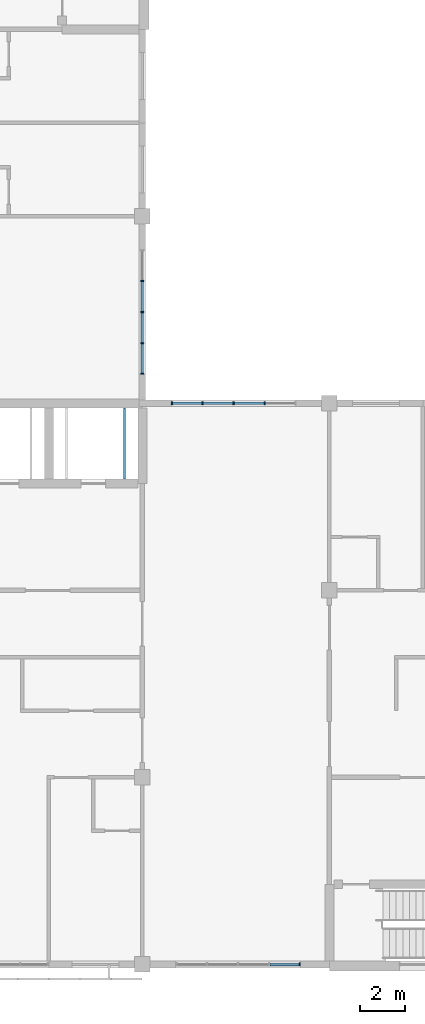
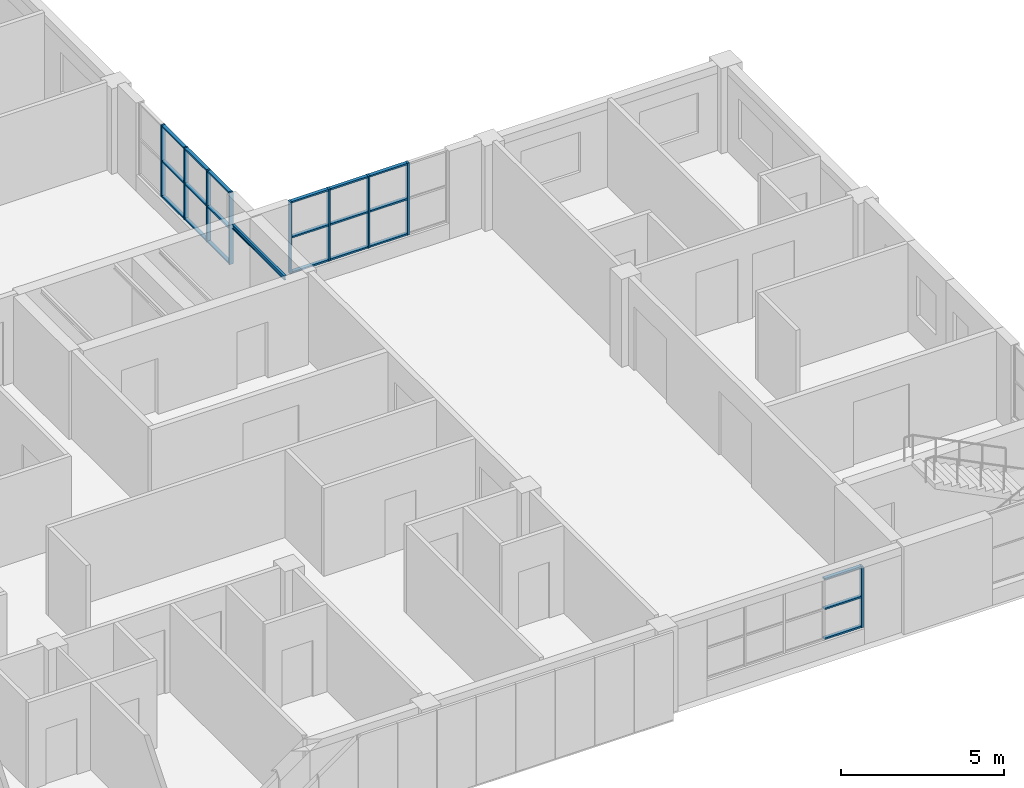
# One storey, part 4 of 48: 30 members, 1 beam, 3 elements without a shape of their own.
"""IFC4 building model written with IfcOpenShell, lengths in metres."""

from ifc_helpers import new_model, si_unit, direction, frame, origin, origin_2d, place, context, subcontext, project, spatial, rectangle, i_section, extrude, material, material_profile, profile_set, type_object, element, aggregate, save


model = new_model("IFC4")

# Units and contexts
model_context = context("Model", 3, precision=1e-05, world=origin(), true_north=direction((0.0, 1.0)))
body_context = subcontext(model_context, "Body", "Model", "MODEL_VIEW")
ifc_project = project(units=[si_unit("LENGTHUNIT", "METRE"), si_unit("AREAUNIT", "SQUARE_METRE"), si_unit("VOLUMEUNIT", "CUBIC_METRE"), si_unit("PLANEANGLEUNIT", "RADIAN"), si_unit("MASSUNIT", "GRAM", prefix="KILO")], contexts=[model_context])

# Site, building, storey
site_placement = place(None, origin())
site = spatial("IfcSite", under=ifc_project, at=site_placement, CompositionType="ELEMENT")
building_placement = place(site_placement, origin())
building = spatial("IfcBuilding", under=site, at=building_placement, Name="Yavir Park General Hospital", CompositionType="ELEMENT")
storey_placement = place(building_placement, frame((0.0, 0.0, 26.10009765625)))
storey = spatial("IfcBuildingStorey", under=building, at=storey_placement, Name="L06", CompositionType="ELEMENT", Elevation=26.10009765625)

# Curtain wall, members
ifc_material_1 = material(Name="Aluminium curtain wall frame with insulated glazing", Category="aluminium")
curtain_wall_type_1 = type_object("IfcCurtainWallType", Name="Day room pocket glazing, ward floors, 2300 high, 1400 module", PredefinedType="NOTDEFINED", material=ifc_material_1)
curtain_wall_1_placement = place(storey_placement, origin())
curtain_wall_1 = element("IfcCurtainWall", 1, at=curtain_wall_1_placement, inside=storey, type_object=curtain_wall_type_1, Name="CW63 L06-002", PredefinedType="NOTDEFINED")
ifc_material_2 = material(Name="Aluminium", Category="aluminium")
ifc_material_profile_1 = material_profile(ifc_material_2, rectangle(XDim=0.139892578125, YDim=0.06005859375, at=origin_2d()), Name="AL 60x140")
ifc_profile_set_1 = profile_set([ifc_material_profile_1], Name="Aluminium")
member_type_1 = type_object("IfcMemberType", Name="Day room pocket glazing, ward floors, 2300 high mullion 60 x 140", PredefinedType="MULLION", material=ifc_profile_set_1)
member_1_placement = place(storey_placement, frame((32.27001953125, 0.0, 0.599853515625), z_axis=(0.0, 0.0, 1.0), x_axis=(0.0, 1.0, 0.0)))
member_1 = element("IfcMember", 2, at=member_1_placement, type_object=member_type_1, Name="CW63 mullion 5", PredefinedType="MULLION", context=body_context, shape_type="SweptSolid", body=[
    extrude(rectangle(XDim=0.139892578125, YDim=0.06005859375, at=origin_2d()), origin(), (0.0, 0.0, 1.0), 2.300048828125),
])
ifc_material_3 = material(Name="Aluminium", Category="aluminium")
ifc_material_profile_2 = material_profile(ifc_material_3, rectangle(XDim=0.1201171875, YDim=0.06005859375, at=origin_2d()), Name="AL 120x60")
ifc_profile_set_2 = profile_set([ifc_material_profile_2], Name="Aluminium")
member_type_2 = type_object("IfcMemberType", Name="Day room pocket glazing, ward floors, 2300 high transom 60 x 120", PredefinedType="MULLION", material=ifc_profile_set_2)
member_2_placement = place(storey_placement, frame((30.929931640625, 0.0, 0.6298828125), z_axis=(1.0, 0.0, 0.0), x_axis=(0.0, 1.0, 0.0)))
member_2 = element("IfcMember", 3, at=member_2_placement, type_object=member_type_2, Name="CW63 transom 4.1", PredefinedType="MULLION", context=body_context, shape_type="SweptSolid", body=[
    extrude(rectangle(XDim=0.1201171875, YDim=0.06005859375, at=origin_2d()), origin(), (0.0, 0.0, 1.0), 1.31005859375),
])
member_3_placement = place(storey_placement, frame((30.929931640625, 0.0, 1.75), z_axis=(1.0, 0.0, 0.0), x_axis=(0.0, 1.0, 0.0)))
member_3 = element("IfcMember", 4, at=member_3_placement, type_object=member_type_2, Name="CW63 transom 4.2", PredefinedType="MULLION", context=body_context, shape_type="SweptSolid", body=[
    extrude(rectangle(XDim=0.1201171875, YDim=0.06005859375, at=origin_2d()), origin(), (0.0, 0.0, 1.0), 1.31005859375),
])
member_4_placement = place(storey_placement, frame((30.929931640625, 0.0, 2.869873046875), z_axis=(1.0, 0.0, 0.0), x_axis=(0.0, 1.0, 0.0)))
member_4 = element("IfcMember", 5, at=member_4_placement, type_object=member_type_2, Name="CW63 transom 4.3", PredefinedType="MULLION", context=body_context, shape_type="SweptSolid", body=[
    extrude(rectangle(XDim=0.1201171875, YDim=0.06005859375, at=origin_2d()), origin(), (0.0, 0.0, 1.0), 1.31005859375),
])
aggregate(curtain_wall_1, [member_1, member_2, member_3, member_4])

ifc_material_4 = material(Name="Aluminium curtain wall frame with insulated glazing", Category="aluminium")
curtain_wall_type_2 = type_object("IfcCurtainWallType", Name="Day room pocket glazing, ward floors, 2700 high, 1400 module", PredefinedType="NOTDEFINED", material=ifc_material_4)
curtain_wall_2_placement = place(storey_placement, origin())
curtain_wall_2 = element("IfcCurtainWall", 6, at=curtain_wall_2_placement, inside=storey, type_object=curtain_wall_type_2, Name="CW65 L06-010", PredefinedType="NOTDEFINED")
ifc_material_5 = material(Name="Aluminium", Category="aluminium")
ifc_material_profile_3 = material_profile(ifc_material_5, rectangle(XDim=0.139892578125, YDim=0.06005859375, at=origin_2d()), Name="AL 60x140")
ifc_profile_set_3 = profile_set([ifc_material_profile_3], Name="Aluminium")
member_type_3 = type_object("IfcMemberType", Name="Day room pocket glazing, ward floors, 2700 high mullion 60 x 140", PredefinedType="MULLION", material=ifc_profile_set_3)
member_5_placement = place(storey_placement, frame((26.530029296875, 25.199951171875, 0.599853515625), z_axis=(0.0, 0.0, 1.0), x_axis=(0.0, 1.0, 0.0)))
member_5 = element("IfcMember", 7, at=member_5_placement, type_object=member_type_3, Name="CW65 mullion 1", PredefinedType="MULLION", context=body_context, shape_type="SweptSolid", body=[
    extrude(rectangle(XDim=0.139892578125, YDim=0.06005859375, at=origin_2d()), origin(), (0.0, 0.0, 1.0), 2.699951171875),
])
member_6_placement = place(storey_placement, frame((27.89990234375, 25.199951171875, 0.599853515625), z_axis=(0.0, 0.0, 1.0), x_axis=(0.0, 1.0, 0.0)))
member_6 = element("IfcMember", 8, at=member_6_placement, type_object=member_type_3, Name="CW65 mullion 2", PredefinedType="MULLION", context=body_context, shape_type="SweptSolid", body=[
    extrude(rectangle(XDim=0.139892578125, YDim=0.06005859375, at=origin_2d()), origin(), (0.0, 0.0, 1.0), 2.699951171875),
])
member_7_placement = place(storey_placement, frame((29.300048828125, 25.199951171875, 0.599853515625), z_axis=(0.0, 0.0, 1.0), x_axis=(0.0, 1.0, 0.0)))
member_7 = element("IfcMember", 9, at=member_7_placement, type_object=member_type_3, Name="CW65 mullion 3", PredefinedType="MULLION", context=body_context, shape_type="SweptSolid", body=[
    extrude(rectangle(XDim=0.139892578125, YDim=0.06005859375, at=origin_2d()), origin(), (0.0, 0.0, 1.0), 2.699951171875),
])
member_8_placement = place(storey_placement, frame((30.699951171875, 25.199951171875, 0.599853515625), z_axis=(0.0, 0.0, 1.0), x_axis=(0.0, 1.0, 0.0)))
member_8 = element("IfcMember", 10, at=member_8_placement, type_object=member_type_3, Name="CW65 mullion 4", PredefinedType="MULLION", context=body_context, shape_type="SweptSolid", body=[
    extrude(rectangle(XDim=0.139892578125, YDim=0.06005859375, at=origin_2d()), origin(), (0.0, 0.0, 1.0), 2.699951171875),
])

curtain_wall_3_placement = place(storey_placement, origin())
curtain_wall_3 = element("IfcCurtainWall", 11, at=curtain_wall_3_placement, inside=storey, type_object=curtain_wall_type_2, Name="CW65 L06-021", PredefinedType="NOTDEFINED")
member_9_placement = place(storey_placement, frame((25.199951171875, 26.530029296875, 0.599853515625), z_axis=(0.0, 0.0, 1.0), x_axis=(-1.0, 0.0, 0.0)))
member_9 = element("IfcMember", 12, at=member_9_placement, type_object=member_type_3, Name="CW65 mullion 1", PredefinedType="MULLION", context=body_context, shape_type="SweptSolid", body=[
    extrude(rectangle(XDim=0.139892578125, YDim=0.06005859375, at=origin_2d()), origin(), (0.0, 0.0, 1.0), 2.699951171875),
])
member_10_placement = place(storey_placement, frame((25.199951171875, 27.89990234375, 0.599853515625), z_axis=(0.0, 0.0, 1.0), x_axis=(-1.0, 0.0, 0.0)))
member_10 = element("IfcMember", 13, at=member_10_placement, type_object=member_type_3, Name="CW65 mullion 2", PredefinedType="MULLION", context=body_context, shape_type="SweptSolid", body=[
    extrude(rectangle(XDim=0.139892578125, YDim=0.06005859375, at=origin_2d()), origin(), (0.0, 0.0, 1.0), 2.699951171875),
])
member_11_placement = place(storey_placement, frame((25.199951171875, 29.300048828125, 0.599853515625), z_axis=(0.0, 0.0, 1.0), x_axis=(-1.0, 0.0, 0.0)))
member_11 = element("IfcMember", 14, at=member_11_placement, type_object=member_type_3, Name="CW65 mullion 3", PredefinedType="MULLION", context=body_context, shape_type="SweptSolid", body=[
    extrude(rectangle(XDim=0.139892578125, YDim=0.06005859375, at=origin_2d()), origin(), (0.0, 0.0, 1.0), 2.699951171875),
])
member_12_placement = place(storey_placement, frame((25.199951171875, 30.699951171875, 0.599853515625), z_axis=(0.0, 0.0, 1.0), x_axis=(-1.0, 0.0, 0.0)))
member_12 = element("IfcMember", 15, at=member_12_placement, type_object=member_type_3, Name="CW65 mullion 4", PredefinedType="MULLION", context=body_context, shape_type="SweptSolid", body=[
    extrude(rectangle(XDim=0.139892578125, YDim=0.06005859375, at=origin_2d()), origin(), (0.0, 0.0, 1.0), 2.699951171875),
])

# Member
ifc_material_6 = material(Name="Aluminium", Category="aluminium")
ifc_material_profile_4 = material_profile(ifc_material_6, rectangle(XDim=0.1201171875, YDim=0.06005859375, at=origin_2d()), Name="AL 120x60")
ifc_profile_set_4 = profile_set([ifc_material_profile_4], Name="Aluminium")
member_type_4 = type_object("IfcMemberType", Name="Day room pocket glazing, ward floors, 2700 high transom 60 x 120", PredefinedType="MULLION", material=ifc_profile_set_4)
member_13_placement = place(storey_placement, frame((26.56005859375, 25.199951171875, 0.6298828125), z_axis=(1.0, 0.0, 0.0), x_axis=(0.0, 1.0, 0.0)))
member_13 = element("IfcMember", 16, at=member_13_placement, type_object=member_type_4, Name="CW65 transom 1.1", PredefinedType="MULLION", context=body_context, shape_type="SweptSolid", body=[
    extrude(rectangle(XDim=0.1201171875, YDim=0.06005859375, at=origin_2d()), origin(), (0.0, 0.0, 1.0), 1.31005859375),
])

member_14_placement = place(storey_placement, frame((26.56005859375, 25.199951171875, 1.949951171875), z_axis=(1.0, 0.0, 0.0), x_axis=(0.0, 1.0, 0.0)))
member_14 = element("IfcMember", 17, at=member_14_placement, type_object=member_type_4, Name="CW65 transom 1.2", PredefinedType="MULLION", context=body_context, shape_type="SweptSolid", body=[
    extrude(rectangle(XDim=0.1201171875, YDim=0.06005859375, at=origin_2d()), origin(), (0.0, 0.0, 1.0), 1.31005859375),
])

member_15_placement = place(storey_placement, frame((26.56005859375, 25.199951171875, 3.27001953125), z_axis=(1.0, 0.0, 0.0), x_axis=(0.0, 1.0, 0.0)))
member_15 = element("IfcMember", 18, at=member_15_placement, type_object=member_type_4, Name="CW65 transom 1.3", PredefinedType="MULLION", context=body_context, shape_type="SweptSolid", body=[
    extrude(rectangle(XDim=0.1201171875, YDim=0.06005859375, at=origin_2d()), origin(), (0.0, 0.0, 1.0), 1.31005859375),
])

member_16_placement = place(storey_placement, frame((27.929931640625, 25.199951171875, 0.6298828125), z_axis=(1.0, 0.0, 0.0), x_axis=(0.0, 1.0, 0.0)))
member_16 = element("IfcMember", 19, at=member_16_placement, type_object=member_type_4, Name="CW65 transom 2.1", PredefinedType="MULLION", context=body_context, shape_type="SweptSolid", body=[
    extrude(rectangle(XDim=0.1201171875, YDim=0.06005859375, at=origin_2d()), origin(), (0.0, 0.0, 1.0), 1.340087890625),
])

member_17_placement = place(storey_placement, frame((27.929931640625, 25.199951171875, 1.949951171875), z_axis=(1.0, 0.0, 0.0), x_axis=(0.0, 1.0, 0.0)))
member_17 = element("IfcMember", 20, at=member_17_placement, type_object=member_type_4, Name="CW65 transom 2.2", PredefinedType="MULLION", context=body_context, shape_type="SweptSolid", body=[
    extrude(rectangle(XDim=0.1201171875, YDim=0.06005859375, at=origin_2d()), origin(), (0.0, 0.0, 1.0), 1.340087890625),
])

member_18_placement = place(storey_placement, frame((27.929931640625, 25.199951171875, 3.27001953125), z_axis=(1.0, 0.0, 0.0), x_axis=(0.0, 1.0, 0.0)))
member_18 = element("IfcMember", 21, at=member_18_placement, type_object=member_type_4, Name="CW65 transom 2.3", PredefinedType="MULLION", context=body_context, shape_type="SweptSolid", body=[
    extrude(rectangle(XDim=0.1201171875, YDim=0.06005859375, at=origin_2d()), origin(), (0.0, 0.0, 1.0), 1.340087890625),
])

member_19_placement = place(storey_placement, frame((29.330078125, 25.199951171875, 0.6298828125), z_axis=(1.0, 0.0, 0.0), x_axis=(0.0, 1.0, 0.0)))
member_19 = element("IfcMember", 22, at=member_19_placement, type_object=member_type_4, Name="CW65 transom 3.1", PredefinedType="MULLION", context=body_context, shape_type="SweptSolid", body=[
    extrude(rectangle(XDim=0.1201171875, YDim=0.06005859375, at=origin_2d()), origin(), (0.0, 0.0, 1.0), 1.33984375),
])

member_20_placement = place(storey_placement, frame((29.330078125, 25.199951171875, 1.949951171875), z_axis=(1.0, 0.0, 0.0), x_axis=(0.0, 1.0, 0.0)))
member_20 = element("IfcMember", 23, at=member_20_placement, type_object=member_type_4, Name="CW65 transom 3.2", PredefinedType="MULLION", context=body_context, shape_type="SweptSolid", body=[
    extrude(rectangle(XDim=0.1201171875, YDim=0.06005859375, at=origin_2d()), origin(), (0.0, 0.0, 1.0), 1.33984375),
])

member_21_placement = place(storey_placement, frame((29.330078125, 25.199951171875, 3.27001953125), z_axis=(1.0, 0.0, 0.0), x_axis=(0.0, 1.0, 0.0)))
member_21 = element("IfcMember", 24, at=member_21_placement, type_object=member_type_4, Name="CW65 transom 3.3", PredefinedType="MULLION", context=body_context, shape_type="SweptSolid", body=[
    extrude(rectangle(XDim=0.1201171875, YDim=0.06005859375, at=origin_2d()), origin(), (0.0, 0.0, 1.0), 1.33984375),
])

aggregate(curtain_wall_2, [member_5, member_6, member_7, member_8, member_13, member_14, member_15, member_16, member_17, member_18, member_19, member_20, member_21])

member_22_placement = place(storey_placement, frame((25.199951171875, 26.56005859375, 0.6298828125), z_axis=(0.0, 1.0, 0.0), x_axis=(-1.0, 0.0, 0.0)))
member_22 = element("IfcMember", 25, at=member_22_placement, type_object=member_type_4, Name="CW65 transom 1.1", PredefinedType="MULLION", context=body_context, shape_type="SweptSolid", body=[
    extrude(rectangle(XDim=0.1201171875, YDim=0.06005859375, at=origin_2d()), origin(), (0.0, 0.0, 1.0), 1.31005859375),
])

member_23_placement = place(storey_placement, frame((25.199951171875, 26.56005859375, 1.949951171875), z_axis=(0.0, 1.0, 0.0), x_axis=(-1.0, 0.0, 0.0)))
member_23 = element("IfcMember", 26, at=member_23_placement, type_object=member_type_4, Name="CW65 transom 1.2", PredefinedType="MULLION", context=body_context, shape_type="SweptSolid", body=[
    extrude(rectangle(XDim=0.1201171875, YDim=0.06005859375, at=origin_2d()), origin(), (0.0, 0.0, 1.0), 1.31005859375),
])

member_24_placement = place(storey_placement, frame((25.199951171875, 26.56005859375, 3.27001953125), z_axis=(0.0, 1.0, 0.0), x_axis=(-1.0, 0.0, 0.0)))
member_24 = element("IfcMember", 27, at=member_24_placement, type_object=member_type_4, Name="CW65 transom 1.3", PredefinedType="MULLION", context=body_context, shape_type="SweptSolid", body=[
    extrude(rectangle(XDim=0.1201171875, YDim=0.06005859375, at=origin_2d()), origin(), (0.0, 0.0, 1.0), 1.31005859375),
])

member_25_placement = place(storey_placement, frame((25.199951171875, 27.929931640625, 0.6298828125), z_axis=(0.0, 1.0, 0.0), x_axis=(-1.0, 0.0, 0.0)))
member_25 = element("IfcMember", 28, at=member_25_placement, type_object=member_type_4, Name="CW65 transom 2.1", PredefinedType="MULLION", context=body_context, shape_type="SweptSolid", body=[
    extrude(rectangle(XDim=0.1201171875, YDim=0.06005859375, at=origin_2d()), origin(), (0.0, 0.0, 1.0), 1.340087890625),
])

member_26_placement = place(storey_placement, frame((25.199951171875, 27.929931640625, 1.949951171875), z_axis=(0.0, 1.0, 0.0), x_axis=(-1.0, 0.0, 0.0)))
member_26 = element("IfcMember", 29, at=member_26_placement, type_object=member_type_4, Name="CW65 transom 2.2", PredefinedType="MULLION", context=body_context, shape_type="SweptSolid", body=[
    extrude(rectangle(XDim=0.1201171875, YDim=0.06005859375, at=origin_2d()), origin(), (0.0, 0.0, 1.0), 1.340087890625),
])

member_27_placement = place(storey_placement, frame((25.199951171875, 27.929931640625, 3.27001953125), z_axis=(0.0, 1.0, 0.0), x_axis=(-1.0, 0.0, 0.0)))
member_27 = element("IfcMember", 30, at=member_27_placement, type_object=member_type_4, Name="CW65 transom 2.3", PredefinedType="MULLION", context=body_context, shape_type="SweptSolid", body=[
    extrude(rectangle(XDim=0.1201171875, YDim=0.06005859375, at=origin_2d()), origin(), (0.0, 0.0, 1.0), 1.340087890625),
])

member_28_placement = place(storey_placement, frame((25.199951171875, 29.330078125, 0.6298828125), z_axis=(0.0, 1.0, 0.0), x_axis=(-1.0, 0.0, 0.0)))
member_28 = element("IfcMember", 31, at=member_28_placement, type_object=member_type_4, Name="CW65 transom 3.1", PredefinedType="MULLION", context=body_context, shape_type="SweptSolid", body=[
    extrude(rectangle(XDim=0.1201171875, YDim=0.06005859375, at=origin_2d()), origin(), (0.0, 0.0, 1.0), 1.33984375),
])

member_29_placement = place(storey_placement, frame((25.199951171875, 29.330078125, 1.949951171875), z_axis=(0.0, 1.0, 0.0), x_axis=(-1.0, 0.0, 0.0)))
member_29 = element("IfcMember", 32, at=member_29_placement, type_object=member_type_4, Name="CW65 transom 3.2", PredefinedType="MULLION", context=body_context, shape_type="SweptSolid", body=[
    extrude(rectangle(XDim=0.1201171875, YDim=0.06005859375, at=origin_2d()), origin(), (0.0, 0.0, 1.0), 1.33984375),
])

member_30_placement = place(storey_placement, frame((25.199951171875, 29.330078125, 3.27001953125), z_axis=(0.0, 1.0, 0.0), x_axis=(-1.0, 0.0, 0.0)))
member_30 = element("IfcMember", 33, at=member_30_placement, type_object=member_type_4, Name="CW65 transom 3.3", PredefinedType="MULLION", context=body_context, shape_type="SweptSolid", body=[
    extrude(rectangle(XDim=0.1201171875, YDim=0.06005859375, at=origin_2d()), origin(), (0.0, 0.0, 1.0), 1.33984375),
])

aggregate(curtain_wall_3, [member_9, member_10, member_11, member_12, member_22, member_23, member_24, member_25, member_26, member_27, member_28, member_29, member_30])

# Beam
ifc_material_7 = material(Name="Steel S355", Category="steel")
ifc_material_profile_5 = material_profile(ifc_material_7, i_section(OverallWidth=0.08203125, OverallDepth=0.159912109375, WebThickness=0.0048828125, FlangeThickness=0.00732421875, FilletRadius=0.009033203125, at=origin_2d()), Name="IPE160")
ifc_profile_set_5 = profile_set([ifc_material_profile_5], Name="Steel S355")
beam_type = type_object("IfcBeamType", Name="IPE 160 lift machine beam", PredefinedType="BEAM", material=ifc_profile_set_5)
beam_placement = place(storey_placement, frame((24.39990234375, 21.800048828125, 3.219970703125), z_axis=(0.0, 1.0, 0.0), x_axis=(-1.0, 0.0, 0.0)))
element("IfcBeam", 34, at=beam_placement, inside=storey, type_object=beam_type, Name="B:MACH:PL3:1", PredefinedType="BEAM", context=body_context, shape_type="SweptSolid", body=[
    extrude(i_section(OverallWidth=0.08203125, OverallDepth=0.159912109375, WebThickness=0.0048828125, FlangeThickness=0.00732421875, FilletRadius=0.009033203125, at=origin_2d()), origin(), (0.0, 0.0, 1.0), 3.199951171875),
])

save(model, "model.ifc")
